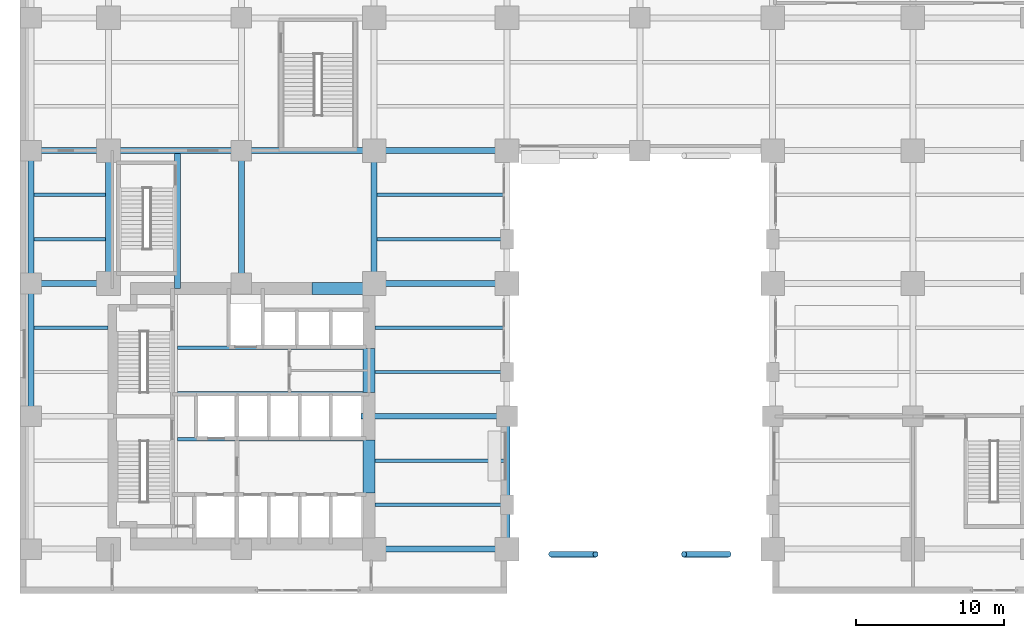
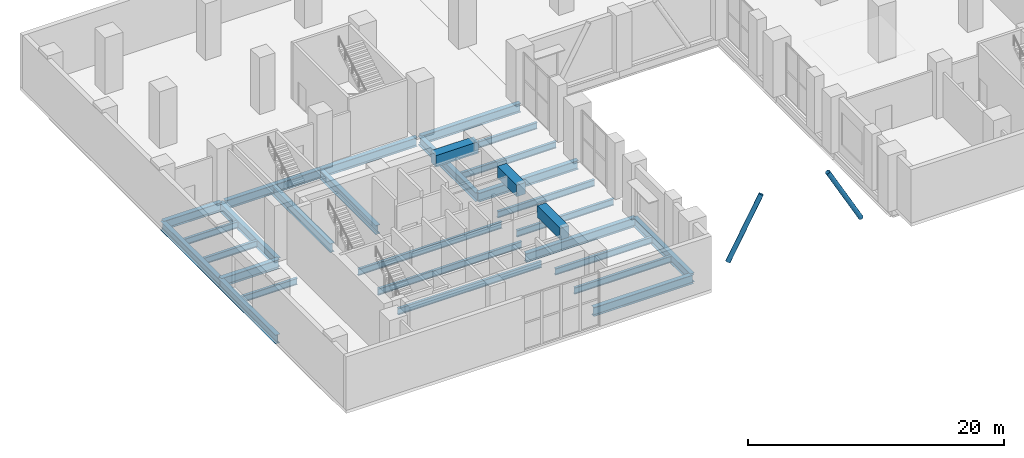
# One storey, part 5 of 20: 30 beams, 2 members.
"""IFC4 building model written with IfcOpenShell, lengths in metres."""

import ifcopenshell
import ifcopenshell.guid

model = None  # the IFC model being written
_history = None  # IfcOwnerHistory: only IFC2X3 demands one
_inside = {}  # id of a spatial element -> (the spatial element, [elements in it])
_under = {}  # id of a project, library or spatial element -> (it, [spatial elements below it])
_declared = {}  # id of a project -> (the project, [libraries it declares])
_typed = {}  # id of a type object -> (the type object, [elements of that type])
_made_of = {}  # id of a material, layer set ... -> (it, [elements and type objects made of it])


def new_model(schema):
    """Start an empty IFC model of exactly this schema.

    Asked for "IFC4X3", IfcOpenShell would pick the latest addendum, in which some entities
    have other attributes; the version numbers below select the first issue.
    IFC2X3 requires an IfcOwnerHistory on every rooted entity: one is made here for all.
    """
    global model, _history
    if schema == "IFC4X3":
        model = ifcopenshell.file(schema_version=(4, 3, 0, 0))
    else:
        model = ifcopenshell.file(schema=schema)
    _inside.clear()
    _under.clear()
    _declared.clear()
    _typed.clear()
    _made_of.clear()
    _history = None
    if model.schema == "IFC2X3":
        org = make("IfcOrganization", Name="unknown")
        user = make(
            "IfcPersonAndOrganization",
            ThePerson=make("IfcPerson", FamilyName="unknown"),
            TheOrganization=org,
        )
        app = make(
            "IfcApplication",
            ApplicationDeveloper=org,
            Version="unknown",
            ApplicationFullName="unknown",
            ApplicationIdentifier="unknown",
        )
        _history = make(
            "IfcOwnerHistory",
            OwningUser=user,
            OwningApplication=app,
            ChangeAction="ADDED",
            CreationDate=0,
        )
    return model


def make(cls, **values):
    """One entity of the class cls with the attributes given. An attribute that is None is left unset."""
    return model.create_entity(
        cls, **{name: value for name, value in values.items() if value is not None}
    )


def rooted(cls, **values):
    """An entity with a GlobalId (a new one), such as an element, a storey or a relation."""
    return make(cls, GlobalId=ifcopenshell.guid.new(), OwnerHistory=_history, **values)


def si_unit(unit_type, name, prefix=None):
    """IfcSIUnit, for example si_unit("LENGTHUNIT", "METRE", prefix="MILLI")."""
    return make("IfcSIUnit", UnitType=unit_type, Prefix=prefix, Name=name)


def assignment(units):
    """IfcUnitAssignment: the units of a project."""
    return None if units is None else make("IfcUnitAssignment", Units=units)


def point(xyz):
    """IfcCartesianPoint."""
    return None if xyz is None else make("IfcCartesianPoint", Coordinates=xyz)


def direction(xyz):
    """IfcDirection."""
    return None if xyz is None else make("IfcDirection", DirectionRatios=xyz)


def frame(location, z_axis=None, x_axis=None):
    """IfcAxis2Placement3D, a coordinate frame: its origin and axes. An axis left out is left unset."""
    return make(
        "IfcAxis2Placement3D",
        Location=point(location),
        Axis=direction(z_axis),
        RefDirection=direction(x_axis),
    )


def frame_2d(location, x_axis=None):
    """IfcAxis2Placement2D, a coordinate frame in the plane: its origin and x axis."""
    return make(
        "IfcAxis2Placement2D", Location=point(location), RefDirection=direction(x_axis)
    )


def origin():
    """The frame at (0, 0, 0) with its axes left unset."""
    return frame((0.0, 0.0, 0.0))


def origin_2d():
    """The frame at (0, 0) in the plane with its x axis left unset."""
    return frame_2d((0.0, 0.0))


def place(relative_to, where):
    """IfcLocalPlacement: puts the frame where relative to a parent placement (None: the world)."""
    return make(
        "IfcLocalPlacement", PlacementRelTo=relative_to, RelativePlacement=where
    )


def context(
    kind, dimensions, precision=None, world=None, true_north=None, identifier=None
):
    """IfcGeometricRepresentationContext, for example the 3D "Model" context."""
    return make(
        "IfcGeometricRepresentationContext",
        ContextIdentifier=identifier,
        ContextType=kind,
        CoordinateSpaceDimension=dimensions,
        Precision=precision,
        WorldCoordinateSystem=world,
        TrueNorth=true_north,
    )


def subcontext(parent, identifier, kind, view, scale=None):
    """IfcGeometricRepresentationSubContext, for example "Body" below "Model"."""
    return make(
        "IfcGeometricRepresentationSubContext",
        ContextIdentifier=identifier,
        ContextType=kind,
        ParentContext=parent,
        TargetScale=scale,
        TargetView=view,
    )


def project(units=None, contexts=None):
    """IfcProject with its units and contexts."""
    return rooted(
        "IfcProject",
        Name="project",
        RepresentationContexts=contexts,
        UnitsInContext=assignment(units),
    )


def spatial(cls, under=None, at=None, **own):
    """A site, building, storey or space (cls), placed at a placement, below another one or the project."""
    s = rooted(cls, ObjectPlacement=at, **own)
    if under is not None:
        _under.setdefault(under.id(), (under, []))[1].append(s)
    return s


def profile(cls, at=None, kind="AREA", **sizes):
    """A parametric profile (cls). Its sizes go by their IFC names, for example OverallWidth=200.0."""
    return make(cls, ProfileType=kind, Position=at, **sizes)


def rectangle(**sizes):
    """IfcRectangleProfileDef."""
    return profile("IfcRectangleProfileDef", **sizes)


def hollow_circle(**sizes):
    """IfcCircleHollowProfileDef."""
    return profile("IfcCircleHollowProfileDef", **sizes)


def i_section(**sizes):
    """IfcIShapeProfileDef."""
    return profile("IfcIShapeProfileDef", **sizes)


def extrude(swept, where, along, depth):
    """IfcExtrudedAreaSolid: the profile swept, set in the frame where, extruded along a direction by depth."""
    return make(
        "IfcExtrudedAreaSolid",
        SweptArea=swept,
        Position=where,
        ExtrudedDirection=direction(along),
        Depth=depth,
    )


def shape(context_of_items, identifier, shape_type, items):
    """IfcShapeRepresentation: the items that make up one representation, for example the "Body"."""
    return make(
        "IfcShapeRepresentation",
        ContextOfItems=context_of_items,
        RepresentationIdentifier=identifier,
        RepresentationType=shape_type,
        Items=items,
    )


def material(Name=None, Category=None):
    """IfcMaterial."""
    return make("IfcMaterial", Name=Name, Category=Category)


def material_profile(
    of_material, cross_section, Name=None, Category=None, Priority=None
):
    """IfcMaterialProfile: a cross section and its material."""
    return make(
        "IfcMaterialProfile",
        Name=Name,
        Material=of_material,
        Profile=cross_section,
        Priority=Priority,
        Category=Category,
    )


def profile_set(profiles, Name=None, composite=None):
    """IfcMaterialProfileSet."""
    return make(
        "IfcMaterialProfileSet",
        Name=Name,
        MaterialProfiles=profiles,
        CompositeProfile=composite,
    )


def made_of(thing, what):
    """Note that an element or type object is made of a material, layer set ...; save() writes the relation."""
    if what is not None:
        _made_of.setdefault(what.id(), (what, []))[1].append(thing)
    return thing


def type_object(cls, material=None, **own):
    """A type object (cls), such as IfcWallType, which elements share."""
    return made_of(rooted(cls, **own), material)


def element(
    cls,
    number,
    at=None,
    inside=None,
    cuts=None,
    type_object=None,
    material=None,
    context=None,
    identifier="Body",
    shape_type=None,
    held_by="IfcProductDefinitionShape",
    body=None,
    shapes=None,
    **own,
):
    """One element of the class cls, such as IfcWall. Its Tag is "e" and its number.

    at: its placement. inside: the storey or other place that contains it. cuts: it is an
    opening in that element (IfcRelVoidsElement). A single representation is given by context,
    identifier, shape_type and body (its items); several are given by shapes. held_by: the class
    of the entity that holds the representations. save() writes the other relations.
    """
    e = rooted(cls, Tag="e%d" % number, ObjectPlacement=at, **own)
    if body is not None:
        shapes = [shape(context, identifier, shape_type, body)]
    if shapes is not None:
        e.Representation = make(held_by, Representations=shapes)
    if inside is not None:
        _inside.setdefault(inside.id(), (inside, []))[1].append(e)
    if cuts is not None:
        rooted(
            "IfcRelVoidsElement", RelatingBuildingElement=cuts, RelatedOpeningElement=e
        )
    if type_object is not None:
        _typed.setdefault(type_object.id(), (type_object, []))[1].append(e)
    return made_of(e, material)


def aggregate(whole, parts):
    """IfcRelAggregates: a whole, such as a stair, and the parts it consists of."""
    return rooted("IfcRelAggregates", RelatingObject=whole, RelatedObjects=parts)


def save(model, path):
    """Write the relations noted so far, then the file.

    IfcRelAggregates (storeys below a building ...), IfcRelContainedInSpatialStructure (elements
    in a storey), IfcRelDefinesByType, IfcRelAssociatesMaterial and IfcRelDeclares: one each for
    every whole, place, type object, material and project.
    """
    for whole, parts in _under.values():
        aggregate(whole, parts)
    for where, things in _inside.values():
        rooted(
            "IfcRelContainedInSpatialStructure",
            RelatedElements=things,
            RelatingStructure=where,
        )
    for kind, things in _typed.values():
        rooted("IfcRelDefinesByType", RelatedObjects=things, RelatingType=kind)
    for what, things in _made_of.values():
        rooted("IfcRelAssociatesMaterial", RelatedObjects=things, RelatingMaterial=what)
    for by, libraries in _declared.values():
        rooted("IfcRelDeclares", RelatingContext=by, RelatedDefinitions=libraries)
    model.write(path)


model = new_model("IFC4")

# Units and contexts
model_context = context("Model", 3, precision=1e-05, world=origin(), true_north=direction((0.0, 1.0)))
body_context = subcontext(model_context, "Body", "Model", "MODEL_VIEW")
ifc_project = project(units=[si_unit("LENGTHUNIT", "METRE"), si_unit("AREAUNIT", "SQUARE_METRE"), si_unit("VOLUMEUNIT", "CUBIC_METRE"), si_unit("PLANEANGLEUNIT", "RADIAN"), si_unit("MASSUNIT", "GRAM", prefix="KILO")], contexts=[model_context])

# Site, building, storey
site_placement = place(None, origin())
site = spatial("IfcSite", under=ifc_project, at=site_placement, CompositionType="ELEMENT")
building_placement = place(site_placement, origin())
building = spatial("IfcBuilding", under=site, at=building_placement, Name="Mawjdan Bourse Tower", CompositionType="ELEMENT")
storey_placement = place(building_placement, frame((0.0, 0.0, 5.39990234375)))
storey = spatial("IfcBuildingStorey", under=building, at=storey_placement, Name="L01", CompositionType="ELEMENT", Elevation=5.39990234375)

# Members
ifc_material_1 = material(Name="Structural Steel S460", Category="steel")
ifc_material_profile_1 = material_profile(ifc_material_1, hollow_circle(Radius=0.203125, WallThickness=0.01611328125, at=origin_2d()), Name="CHS406X16")
ifc_profile_set_1 = profile_set([ifc_material_profile_1], Name="Structural Steel S460")
member_type = type_object("IfcMemberType", Name="ARC-CHS406X16", PredefinedType="USERDEFINED", material=ifc_profile_set_1)
for number, where, z_axis, x_axis, name in (
    (1, (36.0, 2.64990234375, 0.0), (0.485632864501, 0.0, 0.874162868644), (0.0, 1.0, 0.0), "L01 Giant Arch Structural Rib SOUTH 3"),
    (2, (48.0, 2.64990234375, 0.0), (-0.485632864501, 0.0, 0.874162868644), (0.0, -1.0, 0.0), "L01 Giant Arch Structural Rib SOUTH 4"),
):
    element("IfcMember", number, at=place(storey_placement, frame(where, z_axis=z_axis, x_axis=x_axis)), inside=storey, type_object=member_type, Name=name, ObjectType="ARCH RIB", PredefinedType="USERDEFINED", context=body_context, shape_type="SweptSolid", body=[
        extrude(hollow_circle(Radius=0.203125, WallThickness=0.01611328125, at=origin_2d()), origin(), (0.0, 0.0, 1.0), 6.177490234375),
    ])

# Beams
ifc_material_2 = material(Name="Structural Steel S355", Category="steel")
ifc_material_profile_2 = material_profile(ifc_material_2, i_section(OverallWidth=0.39892578125, OverallDepth=0.85595703125, WebThickness=0.018310546875, FlangeThickness=0.029296875, FilletRadius=0.0234375, at=origin_2d()), Name="W33X201")
ifc_profile_set_2 = profile_set([ifc_material_profile_2], Name="Structural Steel S355")
beam_type_1 = type_object("IfcBeamType", Name="GRD-W33X201", PredefinedType="BEAM", material=ifc_profile_set_2)
for number, where, z_axis, x_axis, name in (
    (3, (0.75, 12.0, -0.727783203125), (0.0, 1.0, 0.0), (-1.0, 0.0, 0.0), "L01 West Facade Pier Girder 003"),
    (4, (0.75, 21.0, -0.727783203125), (0.0, 1.0, 0.0), (-1.0, 0.0, 0.0), "L01 West Facade Pier Girder 004"),
):
    element("IfcBeam", number, at=place(storey_placement, frame(where, z_axis=z_axis, x_axis=x_axis)), inside=storey, type_object=beam_type_1, Name=name, PredefinedType="BEAM", context=body_context, shape_type="SweptSolid", body=[
        extrude(i_section(OverallWidth=0.39892578125, OverallDepth=0.85595703125, WebThickness=0.018310546875, FlangeThickness=0.029296875, FilletRadius=0.0234375, at=origin_2d()), origin(), (0.0, 0.0, 1.0), 9.0),
    ])
beam_1_placement = place(storey_placement, frame((10.679931640625, 20.64990234375, -0.727783203125), z_axis=(0.0, 1.0, 0.0), x_axis=(-1.0, 0.0, 0.0)))
element("IfcBeam", 5, at=beam_1_placement, inside=storey, type_object=beam_type_1, Name="L01 North Stair Trimmer Girder 007", PredefinedType="BEAM", context=body_context, shape_type="SweptSolid", body=[
    extrude(i_section(OverallWidth=0.39892578125, OverallDepth=0.85595703125, WebThickness=0.018310546875, FlangeThickness=0.029296875, FilletRadius=0.0234375, at=origin_2d()), origin(), (0.0, 0.0, 1.0), 9.152587890625),
])
for number, where, z_axis, x_axis, name in (
    (6, (6.0, 21.0, -0.727783203125), (0.0, 1.0, 0.0), (-1.0, 0.0, 0.0), "L01 Podium Primary Girder 010"),
    (7, (15.0, 21.0, -0.727783203125), (0.0, 1.0, 0.0), (-1.0, 0.0, 0.0), "L01 Podium Primary Girder 013"),
    (8, (24.0, 21.0, -0.727783203125), (0.0, 1.0, 0.0), (-1.0, 0.0, 0.0), "L01 Podium Primary Girder 016"),
    (9, (33.0, 3.0, -0.727783203125), (0.0, 1.0, 0.0), (-1.0, 0.0, 0.0), "L01 Podium Primary Girder 019"),
    (10, (24.0, 3.0, -0.727783203125), (1.0, 0.0, 0.0), (0.0, 1.0, 0.0), "L01 Podium Tie Girder 042"),
):
    element("IfcBeam", number, at=place(storey_placement, frame(where, z_axis=z_axis, x_axis=x_axis)), inside=storey, type_object=beam_type_1, Name=name, PredefinedType="BEAM", context=body_context, shape_type="SweptSolid", body=[
        extrude(i_section(OverallWidth=0.39892578125, OverallDepth=0.85595703125, WebThickness=0.018310546875, FlangeThickness=0.029296875, FilletRadius=0.0234375, at=origin_2d()), origin(), (0.0, 0.0, 1.0), 9.0),
    ])
beam_2_placement = place(storey_placement, frame((23.10009765625, 12.0, -0.727783203125), z_axis=(1.0, 0.0, 0.0), x_axis=(0.0, 1.0, 0.0)))
element("IfcBeam", 11, at=beam_2_placement, inside=storey, type_object=beam_type_1, Name="L01 Podium Tie Girder 046", PredefinedType="BEAM", context=body_context, shape_type="SweptSolid", body=[
    extrude(i_section(OverallWidth=0.39892578125, OverallDepth=0.85595703125, WebThickness=0.018310546875, FlangeThickness=0.029296875, FilletRadius=0.0234375, at=origin_2d()), origin(), (0.0, 0.0, 1.0), 9.89990234375),
])
beam_3_placement = place(storey_placement, frame((0.75, 21.0, -0.727783203125), z_axis=(1.0, 0.0, 0.0), x_axis=(0.0, 1.0, 0.0)))
element("IfcBeam", 12, at=beam_3_placement, inside=storey, type_object=beam_type_1, Name="L01 Podium Tie Girder 049", PredefinedType="BEAM", context=body_context, shape_type="SweptSolid", body=[
    extrude(i_section(OverallWidth=0.39892578125, OverallDepth=0.85595703125, WebThickness=0.018310546875, FlangeThickness=0.029296875, FilletRadius=0.0234375, at=origin_2d()), origin(), (0.0, 0.0, 1.0), 5.25),
])
beam_4_placement = place(storey_placement, frame((24.0, 21.0, -0.727783203125), z_axis=(1.0, 0.0, 0.0), x_axis=(0.0, 1.0, 0.0)))
element("IfcBeam", 13, at=beam_4_placement, inside=storey, type_object=beam_type_1, Name="L01 Podium Tie Girder 050", PredefinedType="BEAM", context=body_context, shape_type="SweptSolid", body=[
    extrude(i_section(OverallWidth=0.39892578125, OverallDepth=0.85595703125, WebThickness=0.018310546875, FlangeThickness=0.029296875, FilletRadius=0.0234375, at=origin_2d()), origin(), (0.0, 0.0, 1.0), 9.0),
])
beam_5_placement = place(storey_placement, frame((0.75, 30.0, -0.727783203125), z_axis=(1.0, 0.0, 0.0), x_axis=(0.0, 1.0, 0.0)))
element("IfcBeam", 14, at=beam_5_placement, inside=storey, type_object=beam_type_1, Name="L01 Podium Tie Girder 053", PredefinedType="BEAM", context=body_context, shape_type="SweptSolid", body=[
    extrude(i_section(OverallWidth=0.39892578125, OverallDepth=0.85595703125, WebThickness=0.018310546875, FlangeThickness=0.029296875, FilletRadius=0.0234375, at=origin_2d()), origin(), (0.0, 0.0, 1.0), 5.25),
])
for number, where, z_axis, x_axis, name in (
    (15, (6.35009765625, 30.0, -0.727783203125), (1.0, 0.0, 0.0), (0.0, 1.0, 0.0), "L01 Podium Tie Girder 054"),
    (16, (15.0, 30.0, -0.727783203125), (1.0, 0.0, 0.0), (0.0, 1.0, 0.0), "L01 Podium Tie Girder 055"),
):
    element("IfcBeam", number, at=place(storey_placement, frame(where, z_axis=z_axis, x_axis=x_axis)), inside=storey, type_object=beam_type_1, Name=name, PredefinedType="BEAM", context=body_context, shape_type="SweptSolid", body=[
        extrude(i_section(OverallWidth=0.39892578125, OverallDepth=0.85595703125, WebThickness=0.018310546875, FlangeThickness=0.029296875, FilletRadius=0.0234375, at=origin_2d()), origin(), (0.0, 0.0, 1.0), 8.64990234375),
    ])
beam_6_placement = place(storey_placement, frame((24.0, 30.0, -0.727783203125), z_axis=(1.0, 0.0, 0.0), x_axis=(0.0, 1.0, 0.0)))
element("IfcBeam", 17, at=beam_6_placement, inside=storey, type_object=beam_type_1, Name="L01 Podium Tie Girder 056", PredefinedType="BEAM", context=body_context, shape_type="SweptSolid", body=[
    extrude(i_section(OverallWidth=0.39892578125, OverallDepth=0.85595703125, WebThickness=0.018310546875, FlangeThickness=0.029296875, FilletRadius=0.0234375, at=origin_2d()), origin(), (0.0, 0.0, 1.0), 9.0),
])
ifc_material_profile_3 = material_profile(ifc_material_2, i_section(OverallWidth=0.22998046875, OverallDepth=0.616943359375, WebThickness=0.01318359375, FlangeThickness=0.022216796875, FilletRadius=0.017822265625, at=origin_2d()), Name="W24X94")
ifc_profile_set_3 = profile_set([ifc_material_profile_3], Name="Structural Steel S355")
beam_type_2 = type_object("IfcBeamType", Name="JST-W24X94", PredefinedType="JOIST", material=ifc_profile_set_3)
for number, where, z_axis, x_axis, name in (
    (18, (24.0400390625, 6.0, -0.6083984375), (1.0, 0.0, 0.0), (0.0, 1.0, 0.0), "L01 Composite Floor Joist 078"),
    (19, (24.0400390625, 9.0, -0.6083984375), (1.0, 0.0, 0.0), (0.0, 1.0, 0.0), "L01 Composite Floor Joist 081"),
    (20, (24.0400390625, 15.0, -0.6083984375), (1.0, 0.0, 0.0), (0.0, 1.0, 0.0), "L01 Composite Floor Joist 084"),
):
    element("IfcBeam", number, at=place(storey_placement, frame(where, z_axis=z_axis, x_axis=x_axis)), inside=storey, type_object=beam_type_2, Name=name, PredefinedType="JOIST", context=body_context, shape_type="SweptSolid", body=[
        extrude(i_section(OverallWidth=0.22998046875, OverallDepth=0.616943359375, WebThickness=0.01318359375, FlangeThickness=0.022216796875, FilletRadius=0.017822265625, at=origin_2d()), origin(), (0.0, 0.0, 1.0), 8.762451171875),
    ])
beam_7_placement = place(storey_placement, frame((0.947509765625, 18.0, -0.6083984375), z_axis=(1.0, 0.0, 0.0), x_axis=(0.0, 1.0, 0.0)))
element("IfcBeam", 21, at=beam_7_placement, inside=storey, type_object=beam_type_2, Name="L01 Composite Floor Joist 087", PredefinedType="JOIST", context=body_context, shape_type="SweptSolid", body=[
    extrude(i_section(OverallWidth=0.22998046875, OverallDepth=0.616943359375, WebThickness=0.01318359375, FlangeThickness=0.022216796875, FilletRadius=0.017822265625, at=origin_2d()), origin(), (0.0, 0.0, 1.0), 5.012451171875),
])
beam_8_placement = place(storey_placement, frame((24.0400390625, 18.0, -0.6083984375), z_axis=(1.0, 0.0, 0.0), x_axis=(0.0, 1.0, 0.0)))
element("IfcBeam", 22, at=beam_8_placement, inside=storey, type_object=beam_type_2, Name="L01 Composite Floor Joist 088", PredefinedType="JOIST", context=body_context, shape_type="SweptSolid", body=[
    extrude(i_section(OverallWidth=0.22998046875, OverallDepth=0.616943359375, WebThickness=0.01318359375, FlangeThickness=0.022216796875, FilletRadius=0.017822265625, at=origin_2d()), origin(), (0.0, 0.0, 1.0), 8.762451171875),
])
beam_9_placement = place(storey_placement, frame((0.947509765625, 24.0, -0.6083984375), z_axis=(1.0, 0.0, 0.0), x_axis=(0.0, 1.0, 0.0)))
element("IfcBeam", 23, at=beam_9_placement, inside=storey, type_object=beam_type_2, Name="L01 Composite Floor Joist 091", PredefinedType="JOIST", context=body_context, shape_type="SweptSolid", body=[
    extrude(i_section(OverallWidth=0.22998046875, OverallDepth=0.616943359375, WebThickness=0.01318359375, FlangeThickness=0.022216796875, FilletRadius=0.017822265625, at=origin_2d()), origin(), (0.0, 0.0, 1.0), 4.85498046875),
])
beam_10_placement = place(storey_placement, frame((24.197509765625, 24.0, -0.6083984375), z_axis=(1.0, 0.0, 0.0), x_axis=(0.0, 1.0, 0.0)))
element("IfcBeam", 24, at=beam_10_placement, inside=storey, type_object=beam_type_2, Name="L01 Composite Floor Joist 092", PredefinedType="JOIST", context=body_context, shape_type="SweptSolid", body=[
    extrude(i_section(OverallWidth=0.22998046875, OverallDepth=0.616943359375, WebThickness=0.01318359375, FlangeThickness=0.022216796875, FilletRadius=0.017822265625, at=origin_2d()), origin(), (0.0, 0.0, 1.0), 8.60498046875),
])
beam_11_placement = place(storey_placement, frame((0.947509765625, 27.0, -0.6083984375), z_axis=(1.0, 0.0, 0.0), x_axis=(0.0, 1.0, 0.0)))
element("IfcBeam", 25, at=beam_11_placement, inside=storey, type_object=beam_type_2, Name="L01 Composite Floor Joist 095", PredefinedType="JOIST", context=body_context, shape_type="SweptSolid", body=[
    extrude(i_section(OverallWidth=0.22998046875, OverallDepth=0.616943359375, WebThickness=0.01318359375, FlangeThickness=0.022216796875, FilletRadius=0.017822265625, at=origin_2d()), origin(), (0.0, 0.0, 1.0), 4.85498046875),
])
beam_12_placement = place(storey_placement, frame((24.197509765625, 27.0, -0.6083984375), z_axis=(1.0, 0.0, 0.0), x_axis=(0.0, 1.0, 0.0)))
element("IfcBeam", 26, at=beam_12_placement, inside=storey, type_object=beam_type_2, Name="L01 Composite Floor Joist 096", PredefinedType="JOIST", context=body_context, shape_type="SweptSolid", body=[
    extrude(i_section(OverallWidth=0.22998046875, OverallDepth=0.616943359375, WebThickness=0.01318359375, FlangeThickness=0.022216796875, FilletRadius=0.017822265625, at=origin_2d()), origin(), (0.0, 0.0, 1.0), 8.60498046875),
])
for number, where, z_axis, x_axis, name in (
    (27, (10.677490234375, 10.449951171875, -0.6083984375), (1.0, 0.0, 0.0), (0.0, 1.0, 0.0), "L01 Core Slab Joist 130"),
    (28, (10.677490234375, 13.550048828125, -0.6083984375), (1.0, 0.0, 0.0), (0.0, 1.0, 0.0), "L01 Core Slab Joist 131"),
    (29, (10.677490234375, 16.64990234375, -0.6083984375), (1.0, 0.0, 0.0), (0.0, 1.0, 0.0), "L01 Core Slab Joist 132"),
):
    element("IfcBeam", number, at=place(storey_placement, frame(where, z_axis=z_axis, x_axis=x_axis)), inside=storey, type_object=beam_type_2, Name=name, PredefinedType="JOIST", context=body_context, shape_type="SweptSolid", body=[
        extrude(i_section(OverallWidth=0.22998046875, OverallDepth=0.616943359375, WebThickness=0.01318359375, FlangeThickness=0.022216796875, FilletRadius=0.017822265625, at=origin_2d()), origin(), (0.0, 0.0, 1.0), 12.972412109375),
    ])
ifc_material_3 = material(Name="Concrete C70/85", Category="concrete")
ifc_material_profile_4 = material_profile(ifc_material_3, rectangle(XDim=0.800048828125, YDim=1.10009765625, at=origin_2d()), Name="RCB800X1100")
ifc_profile_set_4 = profile_set([ifc_material_profile_4], Name="Concrete C70/85")
beam_type_3 = type_object("IfcBeamType", Name="LNT-RCB800X1100", PredefinedType="LINTEL", material=ifc_profile_set_4)
beam_13_placement = place(storey_placement, frame((23.64990234375, 6.800048828125, 4.550048828125), z_axis=(0.0, 1.0, 0.0), x_axis=(-1.0, 0.0, 0.0)))
element("IfcBeam", 30, at=beam_13_placement, inside=storey, type_object=beam_type_3, Name="L01 Coupled Core Lintel CB-E1", PredefinedType="LINTEL", context=body_context, shape_type="SweptSolid", body=[
    extrude(rectangle(XDim=0.800048828125, YDim=1.10009765625, at=origin_2d()), origin(), (0.0, 0.0, 1.0), 3.599853515625),
])
beam_14_placement = place(storey_placement, frame((23.64990234375, 13.60009765625, 4.550048828125), z_axis=(0.0, 1.0, 0.0), x_axis=(-1.0, 0.0, 0.0)))
element("IfcBeam", 31, at=beam_14_placement, inside=storey, type_object=beam_type_3, Name="L01 Coupled Core Lintel CB-E2", PredefinedType="LINTEL", context=body_context, shape_type="SweptSolid", body=[
    extrude(rectangle(XDim=0.800048828125, YDim=1.10009765625, at=origin_2d()), origin(), (0.0, 0.0, 1.0), 3.0),
])
beam_15_placement = place(storey_placement, frame((19.800048828125, 20.64990234375, 4.550048828125), z_axis=(1.0, 0.0, 0.0), x_axis=(0.0, 1.0, 0.0)))
element("IfcBeam", 32, at=beam_15_placement, inside=storey, type_object=beam_type_3, Name="L01 Coupled Core Lintel CB-N1", PredefinedType="LINTEL", context=body_context, shape_type="SweptSolid", body=[
    extrude(rectangle(XDim=0.800048828125, YDim=1.10009765625, at=origin_2d()), origin(), (0.0, 0.0, 1.0), 3.849853515625),
])

save(model, "model.ifc")
